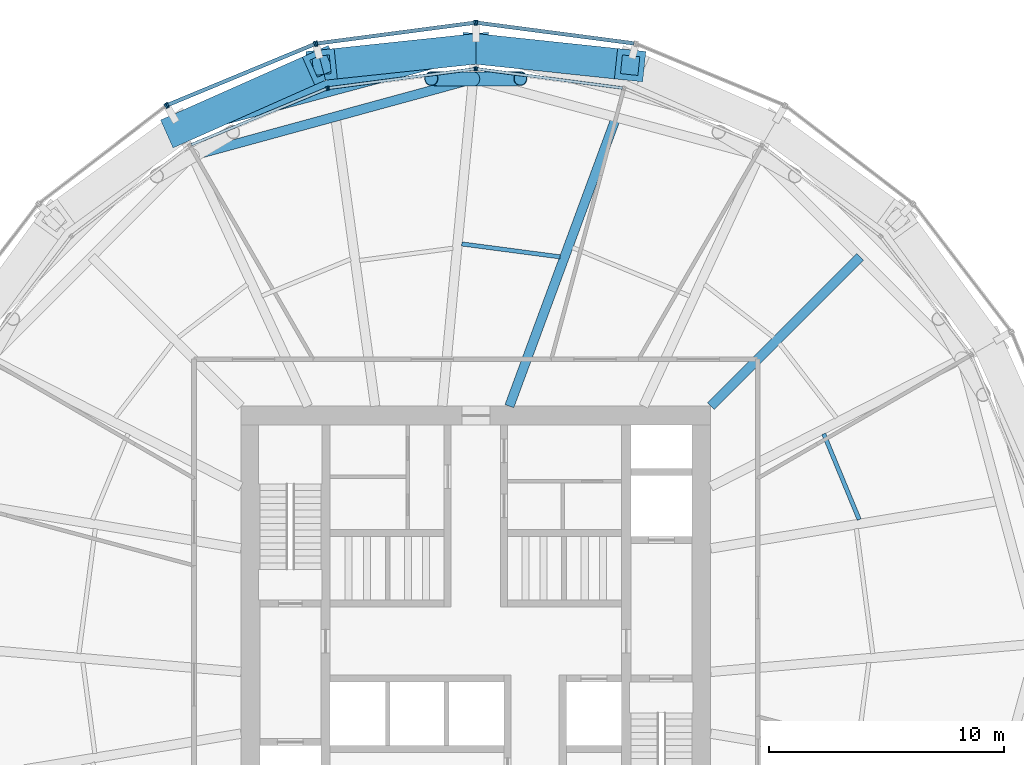
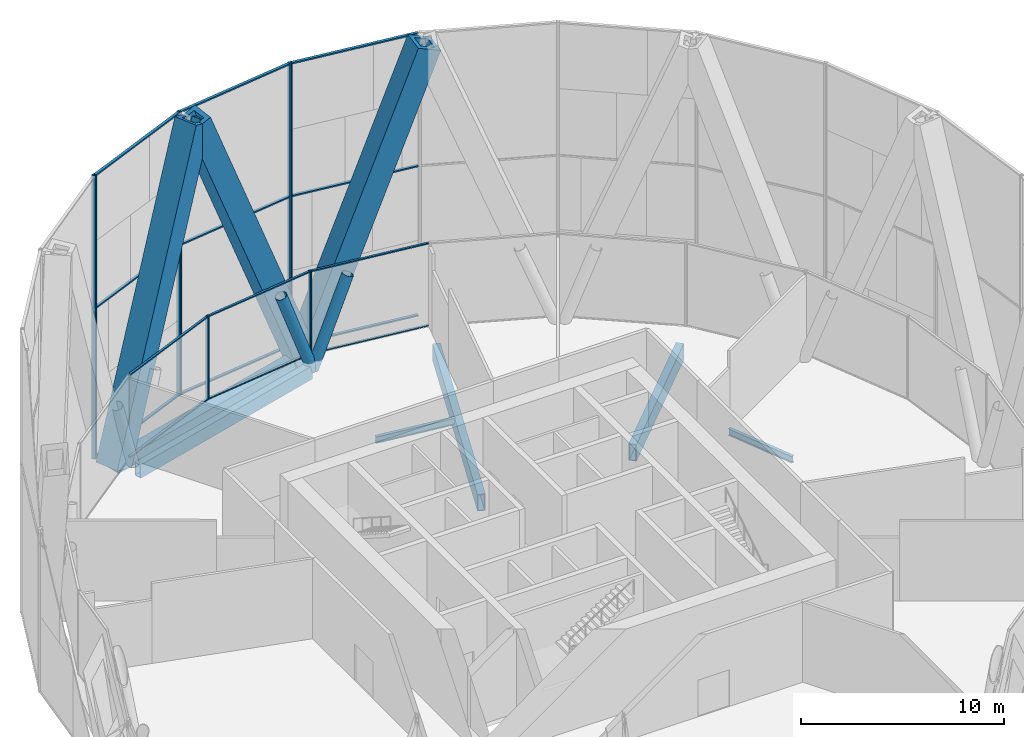
# One storey, part 7 of 16: 30 members, 6 beams, 7 elements without a shape of their own.
"""IFC4 building model written with IfcOpenShell, lengths in metres."""

from ifc_helpers import new_model, si_unit, direction, frame, origin, origin_2d, place, context, subcontext, project, spatial, rectangle, hollow_rectangle, hollow_circle, i_section, extrude, material, material_profile, profile_set, type_object, element, aggregate, save


model = new_model("IFC4")

# Units and contexts
model_context = context("Model", 3, precision=1e-05, world=origin(), true_north=direction((0.0, 1.0)))
body_context = subcontext(model_context, "Body", "Model", "MODEL_VIEW")
ifc_project = project(units=[si_unit("LENGTHUNIT", "METRE"), si_unit("AREAUNIT", "SQUARE_METRE"), si_unit("VOLUMEUNIT", "CUBIC_METRE"), si_unit("PLANEANGLEUNIT", "RADIAN"), si_unit("MASSUNIT", "GRAM", prefix="KILO")], contexts=[model_context])

# Site, building, storey
site_placement = place(None, origin())
site = spatial("IfcSite", under=ifc_project, at=site_placement, CompositionType="ELEMENT")
building_placement = place(site_placement, origin())
building = spatial("IfcBuilding", under=site, at=building_placement, Name="Golbaran Civic Tower", CompositionType="ELEMENT")
storey_placement = place(building_placement, frame((0.0, 0.0, 85.0)))
storey = spatial("IfcBuildingStorey", under=building, at=storey_placement, Name="L20", CompositionType="ELEMENT", Elevation=85.0)

# Members
ifc_material_1 = material(Name="Steel S355", Category="steel")
ifc_material_profile_1 = material_profile(ifc_material_1, hollow_circle(Radius=0.304931640625, WallThickness=0.02490234375, at=origin_2d()), Name="CHS 610.0x25")
ifc_profile_set_1 = profile_set([ifc_material_profile_1], Name="Steel S355")
member_type_1 = type_object("IfcMemberType", Name="BELT TRUSS DIAGONAL CHS 610.0x25", PredefinedType="BRACE", material=ifc_profile_set_1)
member_1_placement = place(storey_placement, frame((-0.12060546875, 23.92724609375, -0.60009765625), z_axis=(-0.334689673848, 0.003680942247, 0.942321215342), x_axis=(-0.010997410246, -0.999939526655, 0.0)))
element("IfcMember", 1, at=member_1_placement, inside=storey, type_object=member_type_1, Name="Belt truss diagonal 90.00R L20", PredefinedType="BRACE", context=body_context, shape_type="SweptSolid", body=[
    extrude(hollow_circle(Radius=0.304931640625, WallThickness=0.02490234375, at=origin_2d()), origin(), (0.0, 0.0, 1.0), 5.30615234375),
])
member_2_placement = place(storey_placement, frame((-0.12060546875, 23.92724609375, -0.60009765625), z_axis=(0.37411916029, 0.003622552992, 0.927373566053), x_axis=(-0.009682431606, 0.99995312416, 0.0)))
element("IfcMember", 2, at=member_2_placement, inside=storey, type_object=member_type_1, Name="Belt truss diagonal 90.00L L20", PredefinedType="BRACE", context=body_context, shape_type="SweptSolid", body=[
    extrude(hollow_circle(Radius=0.304931640625, WallThickness=0.02490234375, at=origin_2d()), origin(), (0.0, 0.0, 1.0), 5.3916015625),
])
ifc_material_profile_2 = material_profile(ifc_material_1, hollow_rectangle(XDim=1.300048828125, YDim=1.300048828125, WallThickness=0.25, at=origin_2d()), Name="BOX 1300x1300x250")
ifc_profile_set_2 = profile_set([ifc_material_profile_2], Name="Steel S355")
member_type_2 = type_object("IfcMemberType", Name="DIAGRID DIAGONAL BOX 1300x1300x250", PredefinedType="BRACE", material=ifc_profile_set_2)
for number, where, z_axis, x_axis, name in (
    (3, (0.0, 25.2109375, -0.7099609375), (-0.360181059018, -0.038096974541, 0.932104192274), (0.105184981916, -0.994452673373, 0.0), "Diagonal D04-03R L20-L24"),
    (4, (0.0, 25.2109375, -0.7099609375), (0.360181059018, -0.038096974541, 0.932104192274), (0.105184981916, 0.994452673373, 0.0), "Diagonal D04-03L L20-L24"),
    (5, (-12.60546875, 21.833251953125, -0.7099609375), (0.330972563789, 0.14710040459, 0.932104410991), (-0.406141895231, 0.913810024533, 0.0), "Diagonal D04-04L L20-L24"),
):
    element("IfcMember", number, at=place(storey_placement, frame(where, z_axis=z_axis, x_axis=x_axis)), inside=storey, type_object=member_type_2, Name=name, PredefinedType="BRACE", context=body_context, shape_type="SweptSolid", body=[
        extrude(hollow_rectangle(XDim=1.300048828125, YDim=1.300048828125, WallThickness=0.25, at=origin_2d()), origin(), (0.0, 0.0, 1.0), 18.23828125),
    ])

# Beams
ifc_material_profile_3 = material_profile(ifc_material_1, hollow_rectangle(XDim=0.699951171875, YDim=0.699951171875, WallThickness=0.080078125, at=origin_2d()), Name="BOX 700x700x80")
ifc_profile_set_3 = profile_set([ifc_material_profile_3], Name="Steel S355")
beam_type_1 = type_object("IfcBeamType", Name="DIAGRID RING TIE BOX 700x700x80", PredefinedType="BEAM", material=ifc_profile_set_3)
beam_1_placement = place(storey_placement, frame((0.0, 25.2109375, -0.7099609375), z_axis=(-0.965924669682, -0.258823361579, 0.0), x_axis=(0.258823361579, -0.965924669682, 0.0)))
element("IfcBeam", 6, at=beam_1_placement, inside=storey, type_object=beam_type_1, Name="Ring tie 90.00 L20", PredefinedType="BEAM", context=body_context, shape_type="SweptSolid", body=[
    extrude(hollow_rectangle(XDim=0.699951171875, YDim=0.699951171875, WallThickness=0.080078125, at=origin_2d()), origin(), (0.0, 0.0, 1.0), 13.050048828125),
])
ifc_material_profile_4 = material_profile(ifc_material_1, hollow_rectangle(XDim=0.39990234375, YDim=0.800048828125, WallThickness=0.0400390625, at=origin_2d()), Name="BOX 800x400x40")
ifc_profile_set_4 = profile_set([ifc_material_profile_4], Name="Steel S355")
beam_type_2 = type_object("IfcBeamType", Name="EDGE BEAM BOX 800x400x40", PredefinedType="BEAM", material=ifc_profile_set_4)
beam_2_placement = place(storey_placement, frame((-0.30615234375, 23.87646484375, -0.60009765625), z_axis=(-0.964630914854, -0.263604245238, 0.0), x_axis=(0.263604245238, -0.964630914854, 0.0)))
element("IfcBeam", 7, at=beam_2_placement, inside=storey, type_object=beam_type_2, Name="Edge beam 90.00 L20", PredefinedType="BEAM", context=body_context, shape_type="SweptSolid", body=[
    extrude(hollow_rectangle(XDim=0.39990234375, YDim=0.800048828125, WallThickness=0.0400390625, at=origin_2d()), origin(), (0.0, 0.0, 1.0), 12.0078125),
])
ifc_material_profile_5 = material_profile(ifc_material_1, i_section(OverallWidth=0.179931640625, OverallDepth=0.39990234375, WebThickness=0.008544921875, FlangeThickness=0.013427734375, FilletRadius=0.02099609375, at=origin_2d()), Name="IPE 400")
ifc_profile_set_5 = profile_set([ifc_material_profile_5], Name="Steel S355")
beam_type_3 = type_object("IfcBeamType", Name="FLOOR INFILL BEAM IPE 400", PredefinedType="BEAM", material=ifc_profile_set_5)
beam_3_placement = place(storey_placement, frame((16.321533203125, 5.169921875, -0.39990234375), z_axis=(-0.382715474056, 0.923866259757, 0.0), x_axis=(-0.923866259757, -0.382715474056, 0.0)))
element("IfcBeam", 8, at=beam_3_placement, inside=storey, type_object=beam_type_3, Name="Infill beam 22.50 L20", PredefinedType="BEAM", context=body_context, shape_type="SweptSolid", body=[
    extrude(i_section(OverallWidth=0.179931640625, OverallDepth=0.39990234375, WebThickness=0.008544921875, FlangeThickness=0.013427734375, FilletRadius=0.02099609375, at=origin_2d()), origin(), (0.0, 0.0, 1.0), 3.95263671875),
])
beam_4_placement = place(storey_placement, frame((3.586181640625, 16.35498046875, -0.39990234375), z_axis=(-0.991444253389, 0.130530810237, 0.0), x_axis=(-0.130530810237, -0.991444253389, 0.0)))
element("IfcBeam", 9, at=beam_4_placement, inside=storey, type_object=beam_type_3, Name="Infill beam 82.50 L20", PredefinedType="BEAM", context=body_context, shape_type="SweptSolid", body=[
    extrude(i_section(OverallWidth=0.179931640625, OverallDepth=0.39990234375, WebThickness=0.008544921875, FlangeThickness=0.013427734375, FilletRadius=0.02099609375, at=origin_2d()), origin(), (0.0, 0.0, 1.0), 4.221435546875),
])

# Curtain wall, member
ifc_material_2 = material(Name="Aluminium and glass", Category="aluminium")
curtain_wall_type_1 = type_object("IfcCurtainWallType", Name="OUTER SKIN TERRACOTTA SCREEN", PredefinedType="NOTDEFINED", material=ifc_material_2)
curtain_wall_1_placement = place(storey_placement, origin())
curtain_wall_1 = element("IfcCurtainWall", 10, at=curtain_wall_1_placement, inside=storey, type_object=curtain_wall_type_1, Name="Outer skin L20 facet 6 CW3", ObjectType="OUTER SKIN", PredefinedType="USERDEFINED")
ifc_material_3 = material(Name="Aluminium", Category="aluminium")
ifc_material_profile_6 = material_profile(ifc_material_3, rectangle(XDim=0.219970703125, YDim=0.080078125, at=origin_2d()), Name="OUTER SKIN TERRACOTTA SCREEN MULLION")
ifc_profile_set_6 = profile_set([ifc_material_profile_6], Name="Aluminium")
member_type_3 = type_object("IfcMemberType", Name="OUTER SKIN TERRACOTTA SCREEN MULLION", PredefinedType="MULLION", material=ifc_profile_set_6)
member_3_placement = place(storey_placement, frame((0.03955078125, 26.32568359375, -0.7099609375), z_axis=(0.0, 0.0, 1.0), x_axis=(-0.13052619222, -0.991444861374, 0.0)))
member_3 = element("IfcMember", 11, at=member_3_placement, type_object=member_type_3, Name="CW3 mullion 2", PredefinedType="MULLION", context=body_context, shape_type="SweptSolid", body=[
    extrude(rectangle(XDim=0.219970703125, YDim=0.080078125, at=origin_2d()), origin(), (0.0, 0.0, 1.0), 17.0),
])

# Curtain wall, members
curtain_wall_2_placement = place(storey_placement, origin())
curtain_wall_2 = element("IfcCurtainWall", 12, at=curtain_wall_2_placement, inside=storey, type_object=curtain_wall_type_1, Name="Outer skin L20 facet 7 CW3", ObjectType="OUTER SKIN", PredefinedType="USERDEFINED")
member_4_placement = place(storey_placement, frame((-0.03955078125, 26.32568359375, -0.7099609375), z_axis=(0.0, 0.0, 1.0), x_axis=(0.13052619222, -0.991444861374, 0.0)))
member_4 = element("IfcMember", 13, at=member_4_placement, type_object=member_type_3, Name="CW3 mullion 1", PredefinedType="MULLION", context=body_context, shape_type="SweptSolid", body=[
    extrude(rectangle(XDim=0.219970703125, YDim=0.080078125, at=origin_2d()), origin(), (0.0, 0.0, 1.0), 17.0),
])
member_5_placement = place(storey_placement, frame((-6.775390625, 25.43896484375, -0.7099609375), z_axis=(0.0, 0.0, 1.0), x_axis=(0.13052619222, -0.991444861374, 0.0)))
member_5 = element("IfcMember", 14, at=member_5_placement, type_object=member_type_3, Name="CW3 mullion 2", PredefinedType="MULLION", context=body_context, shape_type="SweptSolid", body=[
    extrude(rectangle(XDim=0.219970703125, YDim=0.080078125, at=origin_2d()), origin(), (0.0, 0.0, 1.0), 17.0),
])

curtain_wall_3_placement = place(storey_placement, origin())
curtain_wall_3 = element("IfcCurtainWall", 15, at=curtain_wall_3_placement, inside=storey, type_object=curtain_wall_type_1, Name="Outer skin L20 facet 8 CW3", ObjectType="OUTER SKIN", PredefinedType="USERDEFINED")
member_6_placement = place(storey_placement, frame((-6.851806640625, 25.41845703125, -0.7099609375), z_axis=(0.0, 0.0, 1.0), x_axis=(0.382683432397, -0.923879532498, 0.0)))
member_6 = element("IfcMember", 16, at=member_6_placement, type_object=member_type_3, Name="CW3 mullion 1", PredefinedType="MULLION", context=body_context, shape_type="SweptSolid", body=[
    extrude(rectangle(XDim=0.219970703125, YDim=0.080078125, at=origin_2d()), origin(), (0.0, 0.0, 1.0), 17.0),
])
member_7_placement = place(storey_placement, frame((-13.128662109375, 22.818603515625, -0.7099609375), z_axis=(0.0, 0.0, 1.0), x_axis=(0.382683432397, -0.923879532498, 0.0)))
member_7 = element("IfcMember", 17, at=member_7_placement, type_object=member_type_3, Name="CW3 mullion 2", PredefinedType="MULLION", context=body_context, shape_type="SweptSolid", body=[
    extrude(rectangle(XDim=0.219970703125, YDim=0.080078125, at=origin_2d()), origin(), (0.0, 0.0, 1.0), 17.0),
])

# Curtain wall, member
curtain_wall_4_placement = place(storey_placement, origin())
curtain_wall_4 = element("IfcCurtainWall", 18, at=curtain_wall_4_placement, inside=storey, type_object=curtain_wall_type_1, Name="Outer skin L20 facet 9 CW3", ObjectType="OUTER SKIN", PredefinedType="USERDEFINED")
member_8_placement = place(storey_placement, frame((-13.197265625, 22.779052734375, -0.7099609375), z_axis=(0.0, 0.0, 1.0), x_axis=(0.608761429078, -0.793353340238, 0.0)))
member_8 = element("IfcMember", 19, at=member_8_placement, type_object=member_type_3, Name="CW3 mullion 1", PredefinedType="MULLION", context=body_context, shape_type="SweptSolid", body=[
    extrude(rectangle(XDim=0.219970703125, YDim=0.080078125, at=origin_2d()), origin(), (0.0, 0.0, 1.0), 17.0),
])
aggregate(curtain_wall_4, [member_8])

# Member
ifc_material_profile_7 = material_profile(ifc_material_3, rectangle(XDim=0.159912109375, YDim=0.080078125, at=origin_2d()), Name="OUTER SKIN TERRACOTTA SCREEN TRANSOM")
ifc_profile_set_7 = profile_set([ifc_material_profile_7], Name="Aluminium")
member_type_4 = type_object("IfcMemberType", Name="OUTER SKIN TERRACOTTA SCREEN TRANSOM", PredefinedType="USERDEFINED", material=ifc_profile_set_7)
member_9_placement = place(storey_placement, frame((6.735595703125, 25.4443359375, -0.669921875), z_axis=(-0.991446619865, 0.130512834459, 0.0), x_axis=(-0.130512834459, -0.991446619865, 0.0)))
member_9 = element("IfcMember", 20, at=member_9_placement, type_object=member_type_4, Name="CW3 transom 1.1", ObjectType="TRANSOM", PredefinedType="USERDEFINED", context=body_context, shape_type="SweptSolid", body=[
    extrude(rectangle(XDim=0.159912109375, YDim=0.080078125, at=origin_2d()), origin(), (0.0, 0.0, 1.0), 6.713623046875),
])

member_10_placement = place(storey_placement, frame((6.735595703125, 25.4443359375, 8.2900390625), z_axis=(-0.991446619865, 0.130512834459, 0.0), x_axis=(-0.130512834459, -0.991446619865, 0.0)))
member_10 = element("IfcMember", 21, at=member_10_placement, type_object=member_type_4, Name="CW3 transom 1.2", ObjectType="TRANSOM", PredefinedType="USERDEFINED", context=body_context, shape_type="SweptSolid", body=[
    extrude(rectangle(XDim=0.159912109375, YDim=0.080078125, at=origin_2d()), origin(), (0.0, 0.0, 1.0), 6.713623046875),
])

member_11_placement = place(storey_placement, frame((6.735595703125, 25.4443359375, 16.25), z_axis=(-0.991446619865, 0.130512834459, 0.0), x_axis=(-0.130512834459, -0.991446619865, 0.0)))
member_11 = element("IfcMember", 22, at=member_11_placement, type_object=member_type_4, Name="CW3 transom 1.3", ObjectType="TRANSOM", PredefinedType="USERDEFINED", context=body_context, shape_type="SweptSolid", body=[
    extrude(rectangle(XDim=0.159912109375, YDim=0.080078125, at=origin_2d()), origin(), (0.0, 0.0, 1.0), 6.713623046875),
])

aggregate(curtain_wall_1, [member_3, member_9, member_10, member_11])

member_12_placement = place(storey_placement, frame((-0.079345703125, 26.320556640625, -0.669921875), z_axis=(-0.991446619865, -0.130512834459, 0.0), x_axis=(0.130512834459, -0.991446619865, 0.0)))
member_12 = element("IfcMember", 23, at=member_12_placement, type_object=member_type_4, Name="CW3 transom 1.1", ObjectType="TRANSOM", PredefinedType="USERDEFINED", context=body_context, shape_type="SweptSolid", body=[
    extrude(rectangle(XDim=0.159912109375, YDim=0.080078125, at=origin_2d()), origin(), (0.0, 0.0, 1.0), 6.713623046875),
])

member_13_placement = place(storey_placement, frame((-0.079345703125, 26.320556640625, 8.2900390625), z_axis=(-0.991446619865, -0.130512834459, 0.0), x_axis=(0.130512834459, -0.991446619865, 0.0)))
member_13 = element("IfcMember", 24, at=member_13_placement, type_object=member_type_4, Name="CW3 transom 1.2", ObjectType="TRANSOM", PredefinedType="USERDEFINED", context=body_context, shape_type="SweptSolid", body=[
    extrude(rectangle(XDim=0.159912109375, YDim=0.080078125, at=origin_2d()), origin(), (0.0, 0.0, 1.0), 6.713623046875),
])

member_14_placement = place(storey_placement, frame((-0.079345703125, 26.320556640625, 16.25), z_axis=(-0.991446619865, -0.130512834459, 0.0), x_axis=(0.130512834459, -0.991446619865, 0.0)))
member_14 = element("IfcMember", 25, at=member_14_placement, type_object=member_type_4, Name="CW3 transom 1.3", ObjectType="TRANSOM", PredefinedType="USERDEFINED", context=body_context, shape_type="SweptSolid", body=[
    extrude(rectangle(XDim=0.159912109375, YDim=0.080078125, at=origin_2d()), origin(), (0.0, 0.0, 1.0), 6.713623046875),
])

aggregate(curtain_wall_2, [member_4, member_5, member_12, member_13, member_14])

member_15_placement = place(storey_placement, frame((-6.888916015625, 25.403076171875, -0.669921875), z_axis=(-0.923886086395, -0.382667609507, 0.0), x_axis=(0.382667609507, -0.923886086395, 0.0)))
member_15 = element("IfcMember", 26, at=member_15_placement, type_object=member_type_4, Name="CW3 transom 1.1", ObjectType="TRANSOM", PredefinedType="USERDEFINED", context=body_context, shape_type="SweptSolid", body=[
    extrude(rectangle(XDim=0.159912109375, YDim=0.080078125, at=origin_2d()), origin(), (0.0, 0.0, 1.0), 6.713623046875),
])

member_16_placement = place(storey_placement, frame((-6.888916015625, 25.403076171875, 8.2900390625), z_axis=(-0.923886086395, -0.382667609507, 0.0), x_axis=(0.382667609507, -0.923886086395, 0.0)))
member_16 = element("IfcMember", 27, at=member_16_placement, type_object=member_type_4, Name="CW3 transom 1.2", ObjectType="TRANSOM", PredefinedType="USERDEFINED", context=body_context, shape_type="SweptSolid", body=[
    extrude(rectangle(XDim=0.159912109375, YDim=0.080078125, at=origin_2d()), origin(), (0.0, 0.0, 1.0), 6.713623046875),
])

member_17_placement = place(storey_placement, frame((-6.888916015625, 25.403076171875, 16.25), z_axis=(-0.923886086395, -0.382667609507, 0.0), x_axis=(0.382667609507, -0.923886086395, 0.0)))
member_17 = element("IfcMember", 28, at=member_17_placement, type_object=member_type_4, Name="CW3 transom 1.3", ObjectType="TRANSOM", PredefinedType="USERDEFINED", context=body_context, shape_type="SweptSolid", body=[
    extrude(rectangle(XDim=0.159912109375, YDim=0.080078125, at=origin_2d()), origin(), (0.0, 0.0, 1.0), 6.713623046875),
])

aggregate(curtain_wall_3, [member_6, member_7, member_15, member_16, member_17])

# Curtain wall, member
curtain_wall_type_2 = type_object("IfcCurtainWallType", Name="PLANT FLOOR LOUVRE WALL", PredefinedType="NOTDEFINED", material=ifc_material_2)
curtain_wall_5_placement = place(storey_placement, origin())
curtain_wall_5 = element("IfcCurtainWall", 29, at=curtain_wall_5_placement, inside=storey, type_object=curtain_wall_type_2, Name="Inner skin L20 facet 6 CW6", ObjectType="PLANT LOUVRE WALL", PredefinedType="USERDEFINED")
ifc_material_profile_8 = material_profile(ifc_material_3, rectangle(XDim=0.159912109375, YDim=0.070068359375, at=origin_2d()), Name="PLANT FLOOR LOUVRE WALL MULLION")
ifc_profile_set_8 = profile_set([ifc_material_profile_8], Name="Aluminium")
member_type_5 = type_object("IfcMemberType", Name="PLANT FLOOR LOUVRE WALL MULLION", PredefinedType="MULLION", material=ifc_profile_set_8)
member_18_placement = place(storey_placement, frame((0.03466796875, 24.361328125, 0.0), z_axis=(0.0, 0.0, 1.0), x_axis=(-0.130526192272, -0.991444861367, 0.0)))
member_18 = element("IfcMember", 30, at=member_18_placement, type_object=member_type_5, Name="CW6 mullion 2", PredefinedType="MULLION", context=body_context, shape_type="SweptSolid", body=[
    extrude(rectangle(XDim=0.159912109375, YDim=0.070068359375, at=origin_2d()), origin(), (0.0, 0.0, 1.0), 5.0),
])

# Curtain wall, members
curtain_wall_6_placement = place(storey_placement, origin())
curtain_wall_6 = element("IfcCurtainWall", 31, at=curtain_wall_6_placement, inside=storey, type_object=curtain_wall_type_2, Name="Inner skin L20 facet 7 CW6", ObjectType="PLANT LOUVRE WALL", PredefinedType="USERDEFINED")
member_19_placement = place(storey_placement, frame((-0.03466796875, 24.361328125, 0.0), z_axis=(0.0, 0.0, 1.0), x_axis=(0.130526192272, -0.991444861367, 0.0)))
member_19 = element("IfcMember", 32, at=member_19_placement, type_object=member_type_5, Name="CW6 mullion 1", PredefinedType="MULLION", context=body_context, shape_type="SweptSolid", body=[
    extrude(rectangle(XDim=0.159912109375, YDim=0.070068359375, at=origin_2d()), origin(), (0.0, 0.0, 1.0), 5.0),
])
member_20_placement = place(storey_placement, frame((-6.271728515625, 23.540283203125, 0.0), z_axis=(0.0, 0.0, 1.0), x_axis=(0.130526192272, -0.991444861367, 0.0)))
member_20 = element("IfcMember", 33, at=member_20_placement, type_object=member_type_5, Name="CW6 mullion 2", PredefinedType="MULLION", context=body_context, shape_type="SweptSolid", body=[
    extrude(rectangle(XDim=0.159912109375, YDim=0.070068359375, at=origin_2d()), origin(), (0.0, 0.0, 1.0), 5.0),
])

# Curtain wall, member
curtain_wall_7_placement = place(storey_placement, origin())
curtain_wall_7 = element("IfcCurtainWall", 34, at=curtain_wall_7_placement, inside=storey, type_object=curtain_wall_type_2, Name="Inner skin L20 facet 8 CW6", ObjectType="PLANT LOUVRE WALL", PredefinedType="USERDEFINED")
member_21_placement = place(storey_placement, frame((-6.338623046875, 23.5224609375, 0.0), z_axis=(0.0, 0.0, 1.0), x_axis=(0.382683432268, -0.923879532551, 0.0)))
member_21 = element("IfcMember", 35, at=member_21_placement, type_object=member_type_5, Name="CW6 mullion 1", PredefinedType="MULLION", context=body_context, shape_type="SweptSolid", body=[
    extrude(rectangle(XDim=0.159912109375, YDim=0.070068359375, at=origin_2d()), origin(), (0.0, 0.0, 1.0), 5.0),
])

# Member
ifc_material_profile_9 = material_profile(ifc_material_3, rectangle(XDim=0.1201171875, YDim=0.070068359375, at=origin_2d()), Name="PLANT FLOOR LOUVRE WALL TRANSOM")
ifc_profile_set_9 = profile_set([ifc_material_profile_9], Name="Aluminium")
member_type_6 = type_object("IfcMemberType", Name="PLANT FLOOR LOUVRE WALL TRANSOM", PredefinedType="USERDEFINED", material=ifc_profile_set_9)
member_22_placement = place(storey_placement, frame((6.237060546875, 23.544921875, 0.034912109375), z_axis=(-0.991444541651, 0.130528620731, 0.0), x_axis=(-0.130528620731, -0.991444541651, 0.0)))
member_22 = element("IfcMember", 36, at=member_22_placement, type_object=member_type_6, Name="CW6 transom 1.1", ObjectType="TRANSOM", PredefinedType="USERDEFINED", context=body_context, shape_type="SweptSolid", body=[
    extrude(rectangle(XDim=0.1201171875, YDim=0.070068359375, at=origin_2d()), origin(), (0.0, 0.0, 1.0), 6.220947265625),
])

member_23_placement = place(storey_placement, frame((6.237060546875, 23.544921875, 4.965087890625), z_axis=(-0.991444541651, 0.130528620731, 0.0), x_axis=(-0.130528620731, -0.991444541651, 0.0)))
member_23 = element("IfcMember", 37, at=member_23_placement, type_object=member_type_6, Name="CW6 transom 1.2", ObjectType="TRANSOM", PredefinedType="USERDEFINED", context=body_context, shape_type="SweptSolid", body=[
    extrude(rectangle(XDim=0.1201171875, YDim=0.070068359375, at=origin_2d()), origin(), (0.0, 0.0, 1.0), 6.220947265625),
])

aggregate(curtain_wall_5, [member_18, member_22, member_23])

member_24_placement = place(storey_placement, frame((-0.0693359375, 24.35693359375, 0.034912109375), z_axis=(-0.991444541651, -0.130528620731, 0.0), x_axis=(0.130528620731, -0.991444541651, 0.0)))
member_24 = element("IfcMember", 38, at=member_24_placement, type_object=member_type_6, Name="CW6 transom 1.1", ObjectType="TRANSOM", PredefinedType="USERDEFINED", context=body_context, shape_type="SweptSolid", body=[
    extrude(rectangle(XDim=0.1201171875, YDim=0.070068359375, at=origin_2d()), origin(), (0.0, 0.0, 1.0), 6.220947265625),
])

member_25_placement = place(storey_placement, frame((-0.0693359375, 24.35693359375, 4.965087890625), z_axis=(-0.991444541651, -0.130528620731, 0.0), x_axis=(0.130528620731, -0.991444541651, 0.0)))
member_25 = element("IfcMember", 39, at=member_25_placement, type_object=member_type_6, Name="CW6 transom 1.2", ObjectType="TRANSOM", PredefinedType="USERDEFINED", context=body_context, shape_type="SweptSolid", body=[
    extrude(rectangle(XDim=0.1201171875, YDim=0.070068359375, at=origin_2d()), origin(), (0.0, 0.0, 1.0), 6.220947265625),
])

aggregate(curtain_wall_6, [member_19, member_20, member_24, member_25])

member_26_placement = place(storey_placement, frame((-6.37109375, 23.509033203125, 0.034912109375), z_axis=(-0.923879552933, -0.382683383062, 0.0), x_axis=(0.382683383062, -0.923879552933, 0.0)))
member_26 = element("IfcMember", 40, at=member_26_placement, type_object=member_type_6, Name="CW6 transom 1.1", ObjectType="TRANSOM", PredefinedType="USERDEFINED", context=body_context, shape_type="SweptSolid", body=[
    extrude(rectangle(XDim=0.1201171875, YDim=0.070068359375, at=origin_2d()), origin(), (0.0, 0.0, 1.0), 6.220947265625),
])

member_27_placement = place(storey_placement, frame((-6.37109375, 23.509033203125, 4.965087890625), z_axis=(-0.923879552933, -0.382683383062, 0.0), x_axis=(0.382683383062, -0.923879552933, 0.0)))
member_27 = element("IfcMember", 41, at=member_27_placement, type_object=member_type_6, Name="CW6 transom 1.2", ObjectType="TRANSOM", PredefinedType="USERDEFINED", context=body_context, shape_type="SweptSolid", body=[
    extrude(rectangle(XDim=0.1201171875, YDim=0.070068359375, at=origin_2d()), origin(), (0.0, 0.0, 1.0), 6.220947265625),
])

aggregate(curtain_wall_7, [member_21, member_26, member_27])

# Beams
ifc_material_profile_10 = material_profile(ifc_material_1, hollow_rectangle(XDim=0.39990234375, YDim=1.0, WallThickness=0.0400390625, at=origin_2d()), Name="BOX 1000x400x40")
ifc_profile_set_10 = profile_set([ifc_material_profile_10], Name="Steel S355")
beam_type_4 = type_object("IfcBeamType", Name="SECONDARY FLOOR BEAM BOX 1000x400x40", PredefinedType="BEAM", material=ifc_profile_set_10)
beam_5_placement = place(storey_placement, frame((10.0, 10.0, -0.7099609375), z_axis=(0.707106781187, 0.707106781187, 0.0), x_axis=(-0.707106781187, 0.707106781187, 0.0)))
element("IfcBeam", 42, at=beam_5_placement, inside=storey, type_object=beam_type_4, Name="Secondary beam 45.00 L20", PredefinedType="BEAM", context=body_context, shape_type="SweptSolid", body=[
    extrude(hollow_rectangle(XDim=0.39990234375, YDim=1.0, WallThickness=0.0400390625, at=origin_2d()), origin(), (0.0, 0.0, 1.0), 8.993896484375),
])
beam_6_placement = place(storey_placement, frame((1.428466796875, 10.0, -0.7099609375), z_axis=(0.34676591715, 0.937951703822, 0.0), x_axis=(-0.937951703822, 0.34676591715, 0.0)))
element("IfcBeam", 43, at=beam_6_placement, inside=storey, type_object=beam_type_4, Name="Secondary beam 75.00 L20", PredefinedType="BEAM", context=body_context, shape_type="SweptSolid", body=[
    extrude(hollow_rectangle(XDim=0.39990234375, YDim=1.0, WallThickness=0.0400390625, at=origin_2d()), origin(), (0.0, 0.0, 1.0), 13.10791015625),
])

save(model, "model.ifc")
